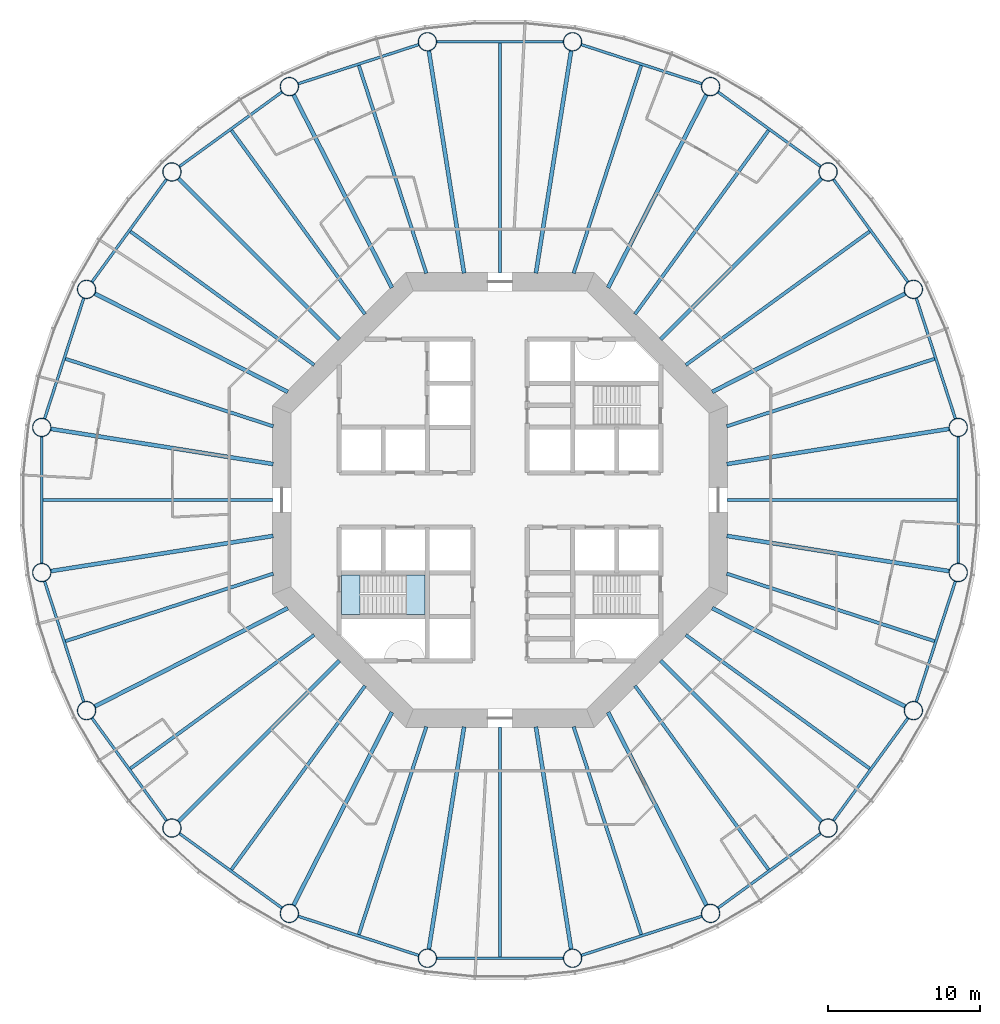
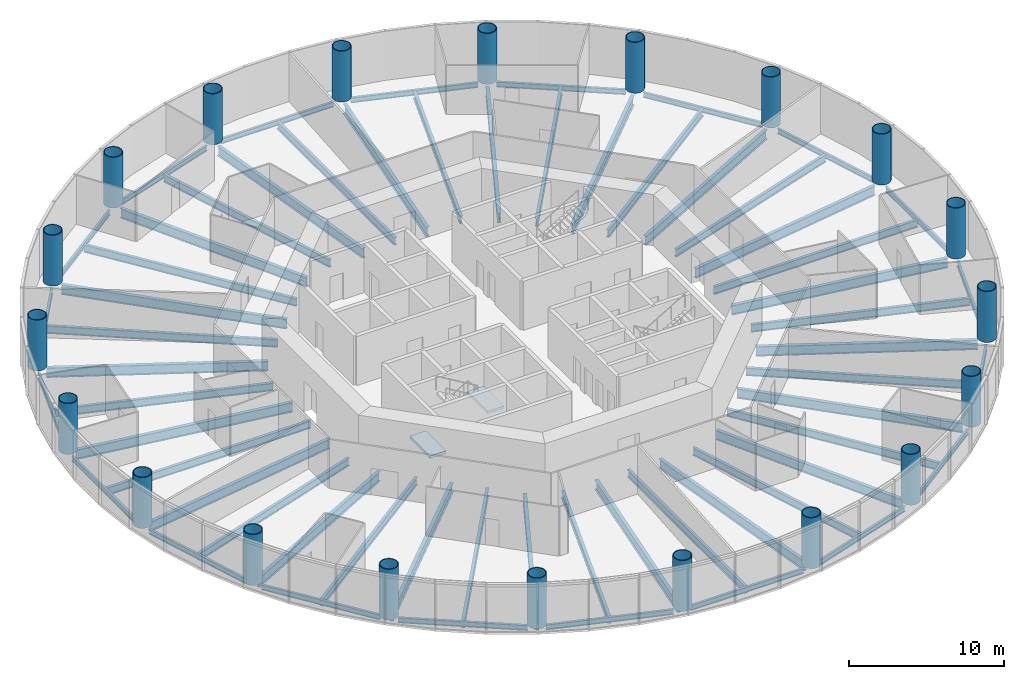
# One storey, part 1 of 13: 60 beams, 20 columns, 2 slabs, 1 element without a shape of its own.
"""IFC4 building model written with IfcOpenShell, lengths in metres."""

from ifc_helpers import new_model, si_unit, direction, frame, origin, origin_2d, place, context, subcontext, project, spatial, polyline, circle, hollow_circle, i_section, outline, extrude, material, layer, layer_set, material_profile, profile_set, type_object, element, aggregate, save


model = new_model("IFC4")

# Units and contexts
model_context = context("Model", 3, precision=1e-05, world=origin(), true_north=direction((0.0, 1.0)))
body_context = subcontext(model_context, "Body", "Model", "MODEL_VIEW")
ifc_project = project(units=[si_unit("LENGTHUNIT", "METRE"), si_unit("AREAUNIT", "SQUARE_METRE"), si_unit("VOLUMEUNIT", "CUBIC_METRE"), si_unit("PLANEANGLEUNIT", "RADIAN"), si_unit("MASSUNIT", "GRAM", prefix="KILO")], contexts=[model_context])

# Site, building, storey
site_placement = place(None, origin())
site = spatial("IfcSite", under=ifc_project, at=site_placement, CompositionType="ELEMENT")
building_placement = place(site_placement, origin())
building = spatial("IfcBuilding", under=site, at=building_placement, Name="Entoto Ring Tower", CompositionType="ELEMENT")
storey_placement = place(building_placement, frame((0.0, 0.0, 88.0)))
storey = spatial("IfcBuildingStorey", under=building, at=storey_placement, Name="L19", CompositionType="ELEMENT", Elevation=88.0)

# Columns
ifc_material_1 = material(Name="Steel S355", Category="steel")
ifc_material_profile_1 = material_profile(ifc_material_1, hollow_circle(Radius=0.625, WallThickness=0.054931640625, at=origin_2d()), Name="CHS 1250 x 55")
ifc_material_2 = material(Name="Concrete C60/75", Category="concrete")
ifc_material_profile_2 = material_profile(ifc_material_2, circle(Radius=0.570068359375, at=origin_2d()), Name="Concrete C60/75 infill")
ifc_profile_set_1 = profile_set([ifc_material_profile_1, ifc_material_profile_2], Name="Steel S355")
column_type = type_object("IfcColumnType", Name="Ring column 1250 x 55 concrete-filled tube", PredefinedType="COLUMN", material=ifc_profile_set_1)
for number, where, z_axis, x_axis, name in (
    (1, (120.22314453125, 84.786865234375, 0.0), (0.0, 0.0, 1.0), (1.0, 0.0, 0.0), "RC2 R01"),
    (2, (117.264892578125, 93.89208984375, 0.0), (0.0, 0.0, 1.0), (1.0, 0.0, 0.0), "RC2 R02"),
    (3, (111.637451171875, 101.637451171875, 0.0), (0.0, 0.0, 1.0), (1.0, 0.0, 0.0), "RC2 R03"),
    (4, (103.89208984375, 107.264892578125, 0.0), (0.0, 0.0, 1.0), (1.0, 0.0, 0.0), "RC2 R04"),
    (5, (94.786865234375, 110.22314453125, 0.0), (0.0, 0.0, 1.0), (1.0, 0.0, 0.0), "RC2 R05"),
    (6, (85.213134765625, 110.22314453125, 0.0), (0.0, 0.0, 1.0), (1.0, 0.0, 0.0), "RC2 R06"),
    (7, (76.10791015625, 107.264892578125, 0.0), (0.0, 0.0, 1.0), (1.0, 0.0, 0.0), "RC2 R07"),
    (8, (68.362548828125, 101.637451171875, 0.0), (0.0, 0.0, 1.0), (1.0, 0.0, 0.0), "RC2 R08"),
    (9, (62.735107421875, 93.89208984375, 0.0), (0.0, 0.0, 1.0), (1.0, 0.0, 0.0), "RC2 R09"),
    (10, (59.77685546875, 84.786865234375, 0.0), (0.0, 0.0, 1.0), (1.0, 0.0, 0.0), "RC2 R10"),
    (11, (59.77685546875, 75.213134765625, 0.0), (0.0, 0.0, 1.0), (1.0, 0.0, 0.0), "RC2 R11"),
    (12, (62.735107421875, 66.10791015625, 0.0), (0.0, 0.0, 1.0), (1.0, 0.0, 0.0), "RC2 R12"),
    (13, (68.362548828125, 58.362548828125, 0.0), (0.0, 0.0, 1.0), (1.0, 0.0, 0.0), "RC2 R13"),
    (14, (76.10791015625, 52.735107421875, 0.0), (0.0, 0.0, 1.0), (1.0, 0.0, 0.0), "RC2 R14"),
    (15, (85.213134765625, 49.77685546875, 0.0), (0.0, 0.0, 1.0), (1.0, 0.0, 0.0), "RC2 R15"),
    (16, (94.786865234375, 49.77685546875, 0.0), (0.0, 0.0, 1.0), (1.0, 0.0, 0.0), "RC2 R16"),
    (17, (103.89208984375, 52.735107421875, 0.0), (0.0, 0.0, 1.0), (1.0, 0.0, 0.0), "RC2 R17"),
    (18, (111.637451171875, 58.362548828125, 0.0), (0.0, 0.0, 1.0), (1.0, 0.0, 0.0), "RC2 R18"),
    (19, (117.264892578125, 66.10791015625, 0.0), (0.0, 0.0, 1.0), (1.0, 0.0, 0.0), "RC2 R19"),
    (20, (120.22314453125, 75.213134765625, 0.0), (0.0, 0.0, 1.0), (1.0, 0.0, 0.0), "RC2 R20"),
):
    element("IfcColumn", number, at=place(storey_placement, frame(where, z_axis=z_axis, x_axis=x_axis)), inside=storey, type_object=column_type, Name=name, PredefinedType="COLUMN", context=body_context, shape_type="SweptSolid", body=[
        extrude(hollow_circle(Radius=0.625, WallThickness=0.054931640625, at=origin_2d()), origin(), (0.0, 0.0, 1.0), 4.0),
    ])

# Beams
ifc_material_3 = material(Name="Steel S355", Category="steel")
ifc_material_profile_3 = material_profile(ifc_material_3, i_section(OverallWidth=0.179931640625, OverallDepth=0.39990234375, WebThickness=0.008544921875, FlangeThickness=0.013427734375, FilletRadius=0.02099609375, at=origin_2d()), Name="IPE 400")
ifc_profile_set_2 = profile_set([ifc_material_profile_3], Name="Steel S355")
beam_type_1 = type_object("IfcBeamType", Name="Edge beam IPE 400", PredefinedType="SPANDREL", material=ifc_profile_set_2)
for number, where, z_axis, x_axis, name in (
    (21, (120.038330078125, 85.35595703125, -0.35009765625), (-0.309014241039, 0.951057410904, 0.0), (-0.951057410904, -0.309014241039, 0.0), "Edge beam L19 01"),
    (22, (116.9130859375, 94.376220703125, -0.35009765625), (-0.587783458554, 0.8090182976, 0.0), (-0.8090182976, -0.587783458554, 0.0), "Edge beam L19 02"),
    (23, (111.1533203125, 101.9892578125, -0.35009765625), (-0.8090182976, 0.587783458554, 0.0), (-0.587783458554, -0.8090182976, 0.0), "Edge beam L19 03"),
    (24, (103.322998046875, 107.44970703125, -0.35009765625), (-0.951057410904, 0.309014241039, 0.0), (-0.309014241039, -0.951057410904, 0.0), "Edge beam L19 04"),
    (25, (94.1884765625, 110.22314453125, -0.35009765625), (-1.0, 0.0, 0.0), (0.0, -1.0, 0.0), "Edge beam L19 05"),
    (26, (84.64404296875, 110.038330078125, -0.35009765625), (-0.951057410904, -0.309014241039, 0.0), (0.309014241039, -0.951057410904, 0.0), "Edge beam L19 06"),
    (27, (75.623779296875, 106.9130859375, -0.35009765625), (-0.8090182976, -0.587783458554, 0.0), (0.587783458554, -0.8090182976, 0.0), "Edge beam L19 07"),
    (28, (68.0107421875, 101.1533203125, -0.35009765625), (-0.587783458554, -0.8090182976, 0.0), (0.8090182976, -0.587783458554, 0.0), "Edge beam L19 08"),
    (29, (62.55029296875, 93.322998046875, -0.35009765625), (-0.309014241039, -0.951057410904, 0.0), (0.951057410904, -0.309014241039, 0.0), "Edge beam L19 09"),
    (30, (59.77685546875, 84.1884765625, -0.35009765625), (0.0, -1.0, 0.0), (1.0, 0.0, 0.0), "Edge beam L19 10"),
    (31, (59.961669921875, 74.64404296875, -0.35009765625), (0.309014241039, -0.951057410904, 0.0), (0.951057410904, 0.309014241039, 0.0), "Edge beam L19 11"),
    (32, (63.0869140625, 65.623779296875, -0.35009765625), (0.587783458554, -0.8090182976, 0.0), (0.8090182976, 0.587783458554, 0.0), "Edge beam L19 12"),
    (33, (68.8466796875, 58.0107421875, -0.35009765625), (0.8090182976, -0.587783458554, 0.0), (0.587783458554, 0.8090182976, 0.0), "Edge beam L19 13"),
    (34, (76.677001953125, 52.55029296875, -0.35009765625), (0.951057410904, -0.309014241039, 0.0), (0.309014241039, 0.951057410904, 0.0), "Edge beam L19 14"),
    (35, (85.8115234375, 49.77685546875, -0.35009765625), (1.0, 0.0, 0.0), (0.0, 1.0, 0.0), "Edge beam L19 15"),
    (36, (95.35595703125, 49.961669921875, -0.35009765625), (0.951057410904, 0.309014241039, 0.0), (-0.309014241039, 0.951057410904, 0.0), "Edge beam L19 16"),
    (37, (104.376220703125, 53.0869140625, -0.35009765625), (0.8090182976, 0.587783458554, 0.0), (-0.587783458554, 0.8090182976, 0.0), "Edge beam L19 17"),
    (38, (111.9892578125, 58.8466796875, -0.35009765625), (0.587783458554, 0.8090182976, 0.0), (-0.8090182976, 0.587783458554, 0.0), "Edge beam L19 18"),
    (39, (117.44970703125, 66.677001953125, -0.35009765625), (0.309014241039, 0.951057410904, 0.0), (-0.951057410904, 0.309014241039, 0.0), "Edge beam L19 19"),
    (40, (120.22314453125, 75.8115234375, -0.35009765625), (0.0, 1.0, 0.0), (-1.0, 0.0, 0.0), "Edge beam L19 20"),
):
    element("IfcBeam", number, at=place(storey_placement, frame(where, z_axis=z_axis, x_axis=x_axis)), inside=storey, type_object=beam_type_1, Name=name, PredefinedType="SPANDREL", context=body_context, shape_type="SweptSolid", body=[
        extrude(i_section(OverallWidth=0.179931640625, OverallDepth=0.39990234375, WebThickness=0.008544921875, FlangeThickness=0.013427734375, FilletRadius=0.02099609375, at=origin_2d()), origin(), (0.0, 0.0, 1.0), 8.376953125),
    ])
ifc_material_4 = material(Name="Steel S355", Category="steel")
ifc_material_profile_4 = material_profile(ifc_material_4, i_section(OverallWidth=0.262939453125, OverallDepth=0.7529296875, WebThickness=0.011474609375, FlangeThickness=0.01708984375, FilletRadius=0.01708984375, at=origin_2d()), Name="IPE 750 x 137")
ifc_profile_set_3 = profile_set([ifc_material_profile_4], Name="Steel S355")
beam_type_2 = type_object("IfcBeamType", Name="Primary floor beam IPE 750 x 137", PredefinedType="BEAM", material=ifc_profile_set_3)
beam_1_placement = place(storey_placement, frame((104.959716796875, 82.369384765625, -0.526611328125), z_axis=(0.98768960451, 0.156426484787, 0.0), x_axis=(-0.156426484787, 0.98768960451, 0.0)))
element("IfcBeam", 41, at=beam_1_placement, inside=storey, type_object=beam_type_2, Name="Primary L19 R01", PredefinedType="BEAM", context=body_context, shape_type="SweptSolid", body=[
    extrude(i_section(OverallWidth=0.262939453125, OverallDepth=0.7529296875, WebThickness=0.011474609375, FlangeThickness=0.01708984375, FilletRadius=0.01708984375, at=origin_2d()), origin(), (0.0, 0.0, 1.0), 14.86279296875),
])
beam_2_placement = place(storey_placement, frame((103.9970703125, 87.1318359375, -0.526611328125), z_axis=(0.891007312585, 0.453988952421, 0.0), x_axis=(-0.453988952421, 0.891007312585, 0.0)))
element("IfcBeam", 42, at=beam_2_placement, inside=storey, type_object=beam_type_2, Name="Primary L19 R02", PredefinedType="BEAM", context=body_context, shape_type="SweptSolid", body=[
    extrude(i_section(OverallWidth=0.262939453125, OverallDepth=0.7529296875, WebThickness=0.011474609375, FlangeThickness=0.01708984375, FilletRadius=0.01708984375, at=origin_2d()), origin(), (0.0, 0.0, 1.0), 14.2998046875),
])
beam_3_placement = place(storey_placement, frame((100.592529296875, 90.592529296875, -0.526611328125), z_axis=(0.707106781187, 0.707106781187, 0.0), x_axis=(-0.707106781187, 0.707106781187, 0.0)))
element("IfcBeam", 43, at=beam_3_placement, inside=storey, type_object=beam_type_2, Name="Primary L19 R03", PredefinedType="BEAM", context=body_context, shape_type="SweptSolid", body=[
    extrude(i_section(OverallWidth=0.262939453125, OverallDepth=0.7529296875, WebThickness=0.011474609375, FlangeThickness=0.01708984375, FilletRadius=0.01708984375, at=origin_2d()), origin(), (0.0, 0.0, 1.0), 15.029052734375),
])
beam_4_placement = place(storey_placement, frame((97.1318359375, 93.9970703125, -0.526611328125), z_axis=(0.453988952421, 0.891007312585, 0.0), x_axis=(-0.891007312585, 0.453988952421, 0.0)))
element("IfcBeam", 44, at=beam_4_placement, inside=storey, type_object=beam_type_2, Name="Primary L19 R04", PredefinedType="BEAM", context=body_context, shape_type="SweptSolid", body=[
    extrude(i_section(OverallWidth=0.262939453125, OverallDepth=0.7529296875, WebThickness=0.011474609375, FlangeThickness=0.01708984375, FilletRadius=0.01708984375, at=origin_2d()), origin(), (0.0, 0.0, 1.0), 14.2998046875),
])
for number, where, z_axis, x_axis, name in (
    (45, (92.369384765625, 94.959716796875, -0.526611328125), (0.156426484787, 0.98768960451, 0.0), (-0.98768960451, 0.156426484787, 0.0), "Primary L19 R05"),
    (46, (87.630615234375, 94.959716796875, -0.526611328125), (-0.156426484787, 0.98768960451, 0.0), (-0.98768960451, -0.156426484787, 0.0), "Primary L19 R06"),
):
    element("IfcBeam", number, at=place(storey_placement, frame(where, z_axis=z_axis, x_axis=x_axis)), inside=storey, type_object=beam_type_2, Name=name, PredefinedType="BEAM", context=body_context, shape_type="SweptSolid", body=[
        extrude(i_section(OverallWidth=0.262939453125, OverallDepth=0.7529296875, WebThickness=0.011474609375, FlangeThickness=0.01708984375, FilletRadius=0.01708984375, at=origin_2d()), origin(), (0.0, 0.0, 1.0), 14.86279296875),
    ])
beam_5_placement = place(storey_placement, frame((82.8681640625, 93.9970703125, -0.526611328125), z_axis=(-0.453988952421, 0.891007312585, 0.0), x_axis=(-0.891007312585, -0.453988952421, 0.0)))
element("IfcBeam", 47, at=beam_5_placement, inside=storey, type_object=beam_type_2, Name="Primary L19 R07", PredefinedType="BEAM", context=body_context, shape_type="SweptSolid", body=[
    extrude(i_section(OverallWidth=0.262939453125, OverallDepth=0.7529296875, WebThickness=0.011474609375, FlangeThickness=0.01708984375, FilletRadius=0.01708984375, at=origin_2d()), origin(), (0.0, 0.0, 1.0), 14.2998046875),
])
beam_6_placement = place(storey_placement, frame((79.407470703125, 90.592529296875, -0.526611328125), z_axis=(-0.707106781187, 0.707106781187, 0.0), x_axis=(-0.707106781187, -0.707106781187, 0.0)))
element("IfcBeam", 48, at=beam_6_placement, inside=storey, type_object=beam_type_2, Name="Primary L19 R08", PredefinedType="BEAM", context=body_context, shape_type="SweptSolid", body=[
    extrude(i_section(OverallWidth=0.262939453125, OverallDepth=0.7529296875, WebThickness=0.011474609375, FlangeThickness=0.01708984375, FilletRadius=0.01708984375, at=origin_2d()), origin(), (0.0, 0.0, 1.0), 15.029052734375),
])
beam_7_placement = place(storey_placement, frame((76.0029296875, 87.1318359375, -0.526611328125), z_axis=(-0.891007312585, 0.453988952421, 0.0), x_axis=(-0.453988952421, -0.891007312585, 0.0)))
element("IfcBeam", 49, at=beam_7_placement, inside=storey, type_object=beam_type_2, Name="Primary L19 R09", PredefinedType="BEAM", context=body_context, shape_type="SweptSolid", body=[
    extrude(i_section(OverallWidth=0.262939453125, OverallDepth=0.7529296875, WebThickness=0.011474609375, FlangeThickness=0.01708984375, FilletRadius=0.01708984375, at=origin_2d()), origin(), (0.0, 0.0, 1.0), 14.2998046875),
])
for number, where, z_axis, x_axis, name in (
    (50, (75.040283203125, 82.369384765625, -0.526611328125), (-0.98768960451, 0.156426484787, 0.0), (-0.156426484787, -0.98768960451, 0.0), "Primary L19 R10"),
    (51, (75.040283203125, 77.630615234375, -0.526611328125), (-0.98768960451, -0.156426484787, 0.0), (0.156426484787, -0.98768960451, 0.0), "Primary L19 R11"),
):
    element("IfcBeam", number, at=place(storey_placement, frame(where, z_axis=z_axis, x_axis=x_axis)), inside=storey, type_object=beam_type_2, Name=name, PredefinedType="BEAM", context=body_context, shape_type="SweptSolid", body=[
        extrude(i_section(OverallWidth=0.262939453125, OverallDepth=0.7529296875, WebThickness=0.011474609375, FlangeThickness=0.01708984375, FilletRadius=0.01708984375, at=origin_2d()), origin(), (0.0, 0.0, 1.0), 14.86279296875),
    ])
beam_8_placement = place(storey_placement, frame((76.0029296875, 72.8681640625, -0.526611328125), z_axis=(-0.891007312585, -0.453988952421, 0.0), x_axis=(0.453988952421, -0.891007312585, 0.0)))
element("IfcBeam", 52, at=beam_8_placement, inside=storey, type_object=beam_type_2, Name="Primary L19 R12", PredefinedType="BEAM", context=body_context, shape_type="SweptSolid", body=[
    extrude(i_section(OverallWidth=0.262939453125, OverallDepth=0.7529296875, WebThickness=0.011474609375, FlangeThickness=0.01708984375, FilletRadius=0.01708984375, at=origin_2d()), origin(), (0.0, 0.0, 1.0), 14.2998046875),
])
beam_9_placement = place(storey_placement, frame((79.407470703125, 69.407470703125, -0.526611328125), z_axis=(-0.707106781187, -0.707106781187, 0.0), x_axis=(0.707106781187, -0.707106781187, 0.0)))
element("IfcBeam", 53, at=beam_9_placement, inside=storey, type_object=beam_type_2, Name="Primary L19 R13", PredefinedType="BEAM", context=body_context, shape_type="SweptSolid", body=[
    extrude(i_section(OverallWidth=0.262939453125, OverallDepth=0.7529296875, WebThickness=0.011474609375, FlangeThickness=0.01708984375, FilletRadius=0.01708984375, at=origin_2d()), origin(), (0.0, 0.0, 1.0), 15.029052734375),
])
beam_10_placement = place(storey_placement, frame((82.8681640625, 66.0029296875, -0.526611328125), z_axis=(-0.453988952421, -0.891007312585, 0.0), x_axis=(0.891007312585, -0.453988952421, 0.0)))
element("IfcBeam", 54, at=beam_10_placement, inside=storey, type_object=beam_type_2, Name="Primary L19 R14", PredefinedType="BEAM", context=body_context, shape_type="SweptSolid", body=[
    extrude(i_section(OverallWidth=0.262939453125, OverallDepth=0.7529296875, WebThickness=0.011474609375, FlangeThickness=0.01708984375, FilletRadius=0.01708984375, at=origin_2d()), origin(), (0.0, 0.0, 1.0), 14.2998046875),
])
for number, where, z_axis, x_axis, name in (
    (55, (87.630615234375, 65.040283203125, -0.526611328125), (-0.156426484787, -0.98768960451, 0.0), (0.98768960451, -0.156426484787, 0.0), "Primary L19 R15"),
    (56, (92.369384765625, 65.040283203125, -0.526611328125), (0.156426484787, -0.98768960451, 0.0), (0.98768960451, 0.156426484787, 0.0), "Primary L19 R16"),
):
    element("IfcBeam", number, at=place(storey_placement, frame(where, z_axis=z_axis, x_axis=x_axis)), inside=storey, type_object=beam_type_2, Name=name, PredefinedType="BEAM", context=body_context, shape_type="SweptSolid", body=[
        extrude(i_section(OverallWidth=0.262939453125, OverallDepth=0.7529296875, WebThickness=0.011474609375, FlangeThickness=0.01708984375, FilletRadius=0.01708984375, at=origin_2d()), origin(), (0.0, 0.0, 1.0), 14.86279296875),
    ])
beam_11_placement = place(storey_placement, frame((97.1318359375, 66.0029296875, -0.526611328125), z_axis=(0.453988952421, -0.891007312585, 0.0), x_axis=(0.891007312585, 0.453988952421, 0.0)))
element("IfcBeam", 57, at=beam_11_placement, inside=storey, type_object=beam_type_2, Name="Primary L19 R17", PredefinedType="BEAM", context=body_context, shape_type="SweptSolid", body=[
    extrude(i_section(OverallWidth=0.262939453125, OverallDepth=0.7529296875, WebThickness=0.011474609375, FlangeThickness=0.01708984375, FilletRadius=0.01708984375, at=origin_2d()), origin(), (0.0, 0.0, 1.0), 14.2998046875),
])
beam_12_placement = place(storey_placement, frame((100.592529296875, 69.407470703125, -0.526611328125), z_axis=(0.707106781187, -0.707106781187, 0.0), x_axis=(0.707106781187, 0.707106781187, 0.0)))
element("IfcBeam", 58, at=beam_12_placement, inside=storey, type_object=beam_type_2, Name="Primary L19 R18", PredefinedType="BEAM", context=body_context, shape_type="SweptSolid", body=[
    extrude(i_section(OverallWidth=0.262939453125, OverallDepth=0.7529296875, WebThickness=0.011474609375, FlangeThickness=0.01708984375, FilletRadius=0.01708984375, at=origin_2d()), origin(), (0.0, 0.0, 1.0), 15.029052734375),
])
beam_13_placement = place(storey_placement, frame((103.9970703125, 72.8681640625, -0.526611328125), z_axis=(0.891007312585, -0.453988952421, 0.0), x_axis=(0.453988952421, 0.891007312585, 0.0)))
element("IfcBeam", 59, at=beam_13_placement, inside=storey, type_object=beam_type_2, Name="Primary L19 R19", PredefinedType="BEAM", context=body_context, shape_type="SweptSolid", body=[
    extrude(i_section(OverallWidth=0.262939453125, OverallDepth=0.7529296875, WebThickness=0.011474609375, FlangeThickness=0.01708984375, FilletRadius=0.01708984375, at=origin_2d()), origin(), (0.0, 0.0, 1.0), 14.2998046875),
])
beam_14_placement = place(storey_placement, frame((104.959716796875, 77.630615234375, -0.526611328125), z_axis=(0.98768960451, -0.156426484787, 0.0), x_axis=(0.156426484787, 0.98768960451, 0.0)))
element("IfcBeam", 60, at=beam_14_placement, inside=storey, type_object=beam_type_2, Name="Primary L19 R20", PredefinedType="BEAM", context=body_context, shape_type="SweptSolid", body=[
    extrude(i_section(OverallWidth=0.262939453125, OverallDepth=0.7529296875, WebThickness=0.011474609375, FlangeThickness=0.01708984375, FilletRadius=0.01708984375, at=origin_2d()), origin(), (0.0, 0.0, 1.0), 14.86279296875),
])
ifc_material_5 = material(Name="Steel S355", Category="steel")
ifc_material_profile_5 = material_profile(ifc_material_5, i_section(OverallWidth=0.219970703125, OverallDepth=0.60009765625, WebThickness=0.011962890625, FlangeThickness=0.01904296875, FilletRadius=0.02392578125, at=origin_2d()), Name="IPE 600")
ifc_profile_set_4 = profile_set([ifc_material_profile_5], Name="Steel S355")
beam_type_3 = type_object("IfcBeamType", Name="Secondary floor beam IPE 600", PredefinedType="JOIST", material=ifc_profile_set_4)
beam_15_placement = place(storey_placement, frame((104.947021484375, 84.856689453125, -0.449951171875), z_axis=(0.951057212949, 0.309014850288, 0.0), x_axis=(-0.309014850288, 0.951057212949, 0.0)))
element("IfcBeam", 61, at=beam_15_placement, inside=storey, type_object=beam_type_3, Name="Secondary beam L19 01", PredefinedType="JOIST", context=body_context, shape_type="SweptSolid", body=[
    extrude(i_section(OverallWidth=0.219970703125, OverallDepth=0.60009765625, WebThickness=0.011962890625, FlangeThickness=0.01904296875, FilletRadius=0.02392578125, at=origin_2d()), origin(), (0.0, 0.0, 1.0), 14.4169921875),
])
for number, where, z_axis, x_axis, name in (
    (62, (102.25634765625, 88.90478515625, -0.449951171875), (0.809019238239, 0.587782163866, 0.0), (-0.587782163866, 0.809019238239, 0.0), "Secondary beam L19 02"),
    (63, (98.90478515625, 92.25634765625, -0.449951171875), (0.587782163866, 0.809019238239, 0.0), (-0.809019238239, 0.587782163866, 0.0), "Secondary beam L19 03"),
):
    element("IfcBeam", number, at=place(storey_placement, frame(where, z_axis=z_axis, x_axis=x_axis)), inside=storey, type_object=beam_type_3, Name=name, PredefinedType="JOIST", context=body_context, shape_type="SweptSolid", body=[
        extrude(i_section(OverallWidth=0.219970703125, OverallDepth=0.60009765625, WebThickness=0.011962890625, FlangeThickness=0.01904296875, FilletRadius=0.02392578125, at=origin_2d()), origin(), (0.0, 0.0, 1.0), 14.983642578125),
    ])
beam_16_placement = place(storey_placement, frame((94.856689453125, 94.947021484375, -0.449951171875), z_axis=(0.309014850288, 0.951057212949, 0.0), x_axis=(-0.951057212949, 0.309014850288, 0.0)))
element("IfcBeam", 64, at=beam_16_placement, inside=storey, type_object=beam_type_3, Name="Secondary beam L19 04", PredefinedType="JOIST", context=body_context, shape_type="SweptSolid", body=[
    extrude(i_section(OverallWidth=0.219970703125, OverallDepth=0.60009765625, WebThickness=0.011962890625, FlangeThickness=0.01904296875, FilletRadius=0.02392578125, at=origin_2d()), origin(), (0.0, 0.0, 1.0), 14.4169921875),
])
beam_17_placement = place(storey_placement, frame((90.0, 94.97998046875, -0.449951171875), z_axis=(0.0, 1.0, 0.0), x_axis=(-1.0, 0.0, 0.0)))
element("IfcBeam", 65, at=beam_17_placement, inside=storey, type_object=beam_type_3, Name="Secondary beam L19 05", PredefinedType="JOIST", context=body_context, shape_type="SweptSolid", body=[
    extrude(i_section(OverallWidth=0.219970703125, OverallDepth=0.60009765625, WebThickness=0.011962890625, FlangeThickness=0.01904296875, FilletRadius=0.02392578125, at=origin_2d()), origin(), (0.0, 0.0, 1.0), 15.1533203125),
])
beam_18_placement = place(storey_placement, frame((85.143310546875, 94.947021484375, -0.449951171875), z_axis=(-0.309014850288, 0.951057212949, 0.0), x_axis=(-0.951057212949, -0.309014850288, 0.0)))
element("IfcBeam", 66, at=beam_18_placement, inside=storey, type_object=beam_type_3, Name="Secondary beam L19 06", PredefinedType="JOIST", context=body_context, shape_type="SweptSolid", body=[
    extrude(i_section(OverallWidth=0.219970703125, OverallDepth=0.60009765625, WebThickness=0.011962890625, FlangeThickness=0.01904296875, FilletRadius=0.02392578125, at=origin_2d()), origin(), (0.0, 0.0, 1.0), 14.4169921875),
])
for number, where, z_axis, x_axis, name in (
    (67, (81.09521484375, 92.25634765625, -0.449951171875), (-0.587782163866, 0.809019238239, 0.0), (-0.809019238239, -0.587782163866, 0.0), "Secondary beam L19 07"),
    (68, (77.74365234375, 88.90478515625, -0.449951171875), (-0.809019238239, 0.587782163866, 0.0), (-0.587782163866, -0.809019238239, 0.0), "Secondary beam L19 08"),
):
    element("IfcBeam", number, at=place(storey_placement, frame(where, z_axis=z_axis, x_axis=x_axis)), inside=storey, type_object=beam_type_3, Name=name, PredefinedType="JOIST", context=body_context, shape_type="SweptSolid", body=[
        extrude(i_section(OverallWidth=0.219970703125, OverallDepth=0.60009765625, WebThickness=0.011962890625, FlangeThickness=0.01904296875, FilletRadius=0.02392578125, at=origin_2d()), origin(), (0.0, 0.0, 1.0), 14.983642578125),
    ])
beam_19_placement = place(storey_placement, frame((75.052978515625, 84.856689453125, -0.449951171875), z_axis=(-0.951057212949, 0.309014850288, 0.0), x_axis=(-0.309014850288, -0.951057212949, 0.0)))
element("IfcBeam", 69, at=beam_19_placement, inside=storey, type_object=beam_type_3, Name="Secondary beam L19 09", PredefinedType="JOIST", context=body_context, shape_type="SweptSolid", body=[
    extrude(i_section(OverallWidth=0.219970703125, OverallDepth=0.60009765625, WebThickness=0.011962890625, FlangeThickness=0.01904296875, FilletRadius=0.02392578125, at=origin_2d()), origin(), (0.0, 0.0, 1.0), 14.4169921875),
])
beam_20_placement = place(storey_placement, frame((75.02001953125, 80.0, -0.449951171875), z_axis=(-1.0, 0.0, 0.0), x_axis=(0.0, -1.0, 0.0)))
element("IfcBeam", 70, at=beam_20_placement, inside=storey, type_object=beam_type_3, Name="Secondary beam L19 10", PredefinedType="JOIST", context=body_context, shape_type="SweptSolid", body=[
    extrude(i_section(OverallWidth=0.219970703125, OverallDepth=0.60009765625, WebThickness=0.011962890625, FlangeThickness=0.01904296875, FilletRadius=0.02392578125, at=origin_2d()), origin(), (0.0, 0.0, 1.0), 15.1533203125),
])
beam_21_placement = place(storey_placement, frame((75.052978515625, 75.143310546875, -0.449951171875), z_axis=(-0.951057212949, -0.309014850288, 0.0), x_axis=(0.309014850288, -0.951057212949, 0.0)))
element("IfcBeam", 71, at=beam_21_placement, inside=storey, type_object=beam_type_3, Name="Secondary beam L19 11", PredefinedType="JOIST", context=body_context, shape_type="SweptSolid", body=[
    extrude(i_section(OverallWidth=0.219970703125, OverallDepth=0.60009765625, WebThickness=0.011962890625, FlangeThickness=0.01904296875, FilletRadius=0.02392578125, at=origin_2d()), origin(), (0.0, 0.0, 1.0), 14.4169921875),
])
for number, where, z_axis, x_axis, name in (
    (72, (77.74365234375, 71.09521484375, -0.449951171875), (-0.809019238239, -0.587782163866, 0.0), (0.587782163866, -0.809019238239, 0.0), "Secondary beam L19 12"),
    (73, (81.09521484375, 67.74365234375, -0.449951171875), (-0.587782163866, -0.809019238239, 0.0), (0.809019238239, -0.587782163866, 0.0), "Secondary beam L19 13"),
):
    element("IfcBeam", number, at=place(storey_placement, frame(where, z_axis=z_axis, x_axis=x_axis)), inside=storey, type_object=beam_type_3, Name=name, PredefinedType="JOIST", context=body_context, shape_type="SweptSolid", body=[
        extrude(i_section(OverallWidth=0.219970703125, OverallDepth=0.60009765625, WebThickness=0.011962890625, FlangeThickness=0.01904296875, FilletRadius=0.02392578125, at=origin_2d()), origin(), (0.0, 0.0, 1.0), 14.983642578125),
    ])
beam_22_placement = place(storey_placement, frame((85.143310546875, 65.052978515625, -0.449951171875), z_axis=(-0.309014850288, -0.951057212949, 0.0), x_axis=(0.951057212949, -0.309014850288, 0.0)))
element("IfcBeam", 74, at=beam_22_placement, inside=storey, type_object=beam_type_3, Name="Secondary beam L19 14", PredefinedType="JOIST", context=body_context, shape_type="SweptSolid", body=[
    extrude(i_section(OverallWidth=0.219970703125, OverallDepth=0.60009765625, WebThickness=0.011962890625, FlangeThickness=0.01904296875, FilletRadius=0.02392578125, at=origin_2d()), origin(), (0.0, 0.0, 1.0), 14.4169921875),
])
beam_23_placement = place(storey_placement, frame((90.0, 65.02001953125, -0.449951171875), z_axis=(0.0, -1.0, 0.0), x_axis=(1.0, 0.0, 0.0)))
element("IfcBeam", 75, at=beam_23_placement, inside=storey, type_object=beam_type_3, Name="Secondary beam L19 15", PredefinedType="JOIST", context=body_context, shape_type="SweptSolid", body=[
    extrude(i_section(OverallWidth=0.219970703125, OverallDepth=0.60009765625, WebThickness=0.011962890625, FlangeThickness=0.01904296875, FilletRadius=0.02392578125, at=origin_2d()), origin(), (0.0, 0.0, 1.0), 15.1533203125),
])
beam_24_placement = place(storey_placement, frame((94.856689453125, 65.052978515625, -0.449951171875), z_axis=(0.309014850288, -0.951057212949, 0.0), x_axis=(0.951057212949, 0.309014850288, 0.0)))
element("IfcBeam", 76, at=beam_24_placement, inside=storey, type_object=beam_type_3, Name="Secondary beam L19 16", PredefinedType="JOIST", context=body_context, shape_type="SweptSolid", body=[
    extrude(i_section(OverallWidth=0.219970703125, OverallDepth=0.60009765625, WebThickness=0.011962890625, FlangeThickness=0.01904296875, FilletRadius=0.02392578125, at=origin_2d()), origin(), (0.0, 0.0, 1.0), 14.4169921875),
])
for number, where, z_axis, x_axis, name in (
    (77, (98.90478515625, 67.74365234375, -0.449951171875), (0.587782163866, -0.809019238239, 0.0), (0.809019238239, 0.587782163866, 0.0), "Secondary beam L19 17"),
    (78, (102.25634765625, 71.09521484375, -0.449951171875), (0.809019238239, -0.587782163866, 0.0), (0.587782163866, 0.809019238239, 0.0), "Secondary beam L19 18"),
):
    element("IfcBeam", number, at=place(storey_placement, frame(where, z_axis=z_axis, x_axis=x_axis)), inside=storey, type_object=beam_type_3, Name=name, PredefinedType="JOIST", context=body_context, shape_type="SweptSolid", body=[
        extrude(i_section(OverallWidth=0.219970703125, OverallDepth=0.60009765625, WebThickness=0.011962890625, FlangeThickness=0.01904296875, FilletRadius=0.02392578125, at=origin_2d()), origin(), (0.0, 0.0, 1.0), 14.983642578125),
    ])
beam_25_placement = place(storey_placement, frame((104.947021484375, 75.143310546875, -0.449951171875), z_axis=(0.951057212949, -0.309014850288, 0.0), x_axis=(0.309014850288, 0.951057212949, 0.0)))
element("IfcBeam", 79, at=beam_25_placement, inside=storey, type_object=beam_type_3, Name="Secondary beam L19 19", PredefinedType="JOIST", context=body_context, shape_type="SweptSolid", body=[
    extrude(i_section(OverallWidth=0.219970703125, OverallDepth=0.60009765625, WebThickness=0.011962890625, FlangeThickness=0.01904296875, FilletRadius=0.02392578125, at=origin_2d()), origin(), (0.0, 0.0, 1.0), 14.4169921875),
])
beam_26_placement = place(storey_placement, frame((104.97998046875, 80.0, -0.449951171875), z_axis=(1.0, 0.0, 0.0), x_axis=(0.0, 1.0, 0.0)))
element("IfcBeam", 80, at=beam_26_placement, inside=storey, type_object=beam_type_3, Name="Secondary beam L19 20", PredefinedType="JOIST", context=body_context, shape_type="SweptSolid", body=[
    extrude(i_section(OverallWidth=0.219970703125, OverallDepth=0.60009765625, WebThickness=0.011962890625, FlangeThickness=0.01904296875, FilletRadius=0.02392578125, at=origin_2d()), origin(), (0.0, 0.0, 1.0), 15.1533203125),
])

# Stair, slabs
ifc_material_6 = material(Name="Concrete C40/50", Category="concrete")
stair_type = type_object("IfcStairType", Name="Exit stair 1200 mm dog-leg reinforced concrete", PredefinedType="HALF_TURN_STAIR", material=ifc_material_6)
stair_placement = place(storey_placement, origin())
stair = element("IfcStair", 81, at=stair_placement, inside=storey, type_object=stair_type, Name="Exit stair 2", PredefinedType="HALF_TURN_STAIR")
ifc_material_7 = material(Name="Concrete C40/50", Category="concrete")
ifc_layer = layer(ifc_material_7, 0.199951171875)
ifc_layer_set = layer_set([ifc_layer], Name="Concrete C40/50")
slab_type = type_object("IfcSlabType", Name="Stair landing 200 mm reinforced concrete", PredefinedType="LANDING", material=ifc_layer_set)
slab_1_placement = place(storey_placement, frame((0.0, 0.0, -0.199951171875)))
slab_1 = element("IfcSlab", 82, at=slab_1_placement, type_object=slab_type, Name="ST2 landing 1", PredefinedType="LANDING", context=body_context, shape_type="SweptSolid", body=[
    extrude(outline(polyline([(80.75, 72.449951171875), (80.75, 75.050048828125), (79.550048828125, 75.050048828125), (79.550048828125, 72.449951171875), (80.75, 72.449951171875)])), origin(), (0.0, 0.0, 1.0), 0.199951171875),
])
slab_2_placement = place(storey_placement, frame((0.0, 0.0, 1.800048828125)))
slab_2 = element("IfcSlab", 83, at=slab_2_placement, type_object=slab_type, Name="ST2 landing 2", PredefinedType="LANDING", context=body_context, shape_type="SweptSolid", body=[
    extrude(outline(polyline([(83.830078125, 72.449951171875), (85.050048828125, 72.449951171875), (85.050048828125, 75.050048828125), (83.830078125, 75.050048828125), (83.830078125, 72.449951171875)])), origin(), (0.0, 0.0, 1.0), 0.199951171875),
])
aggregate(stair, [slab_1, slab_2])

save(model, "model.ifc")
